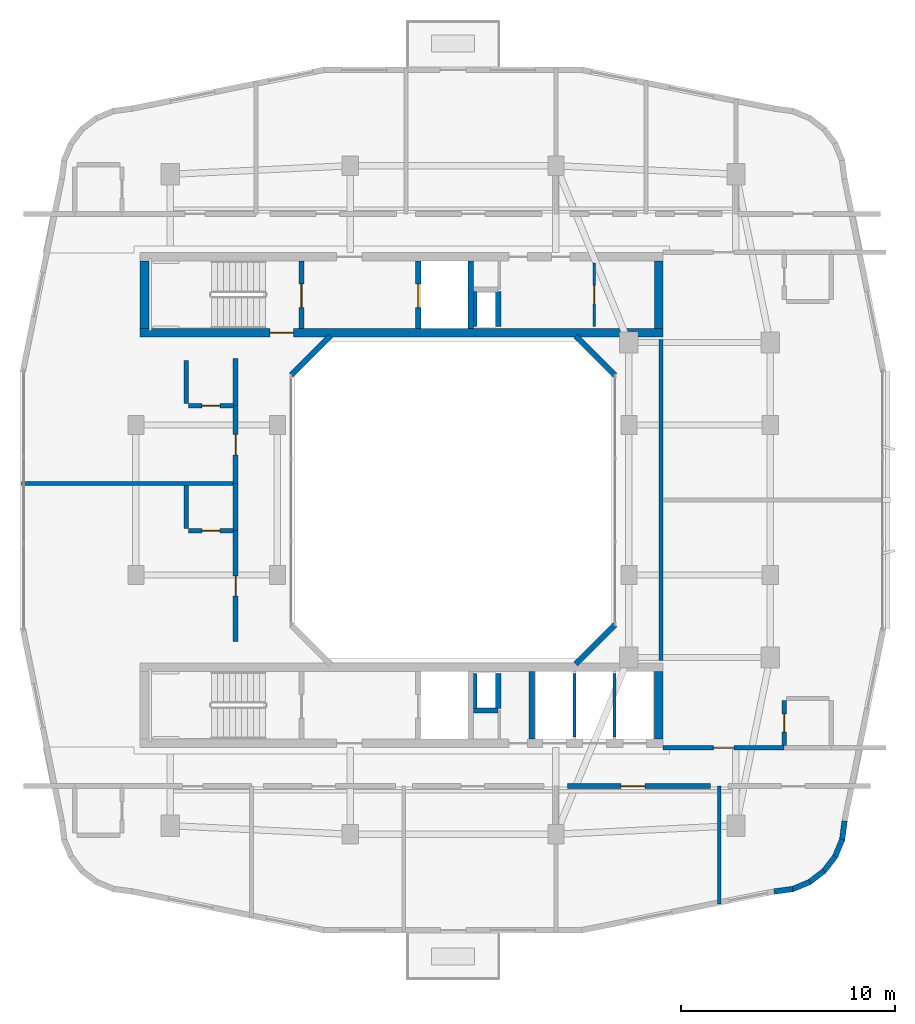
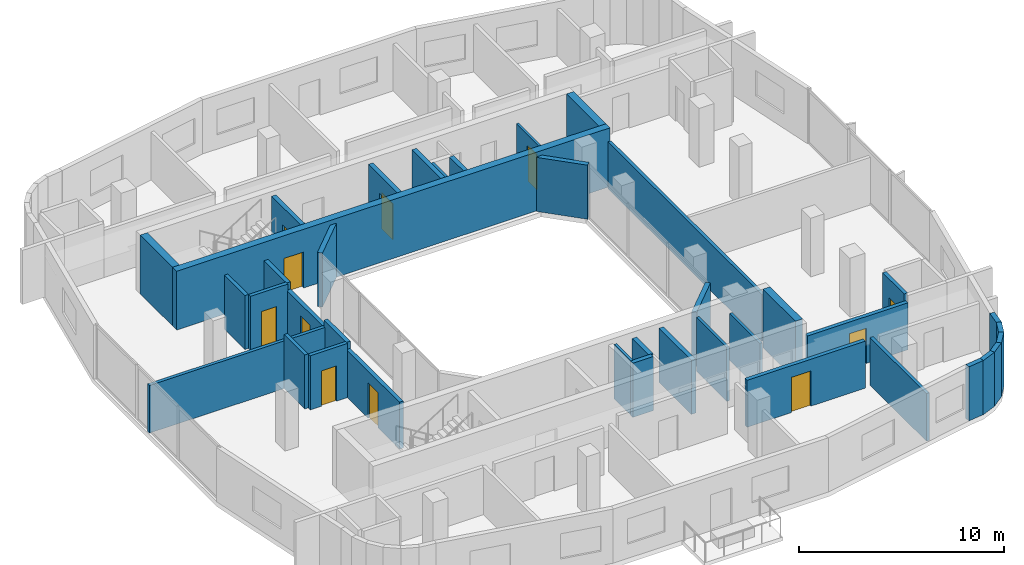
# One storey, part 6 of 12: 39 walls, 11 doors, 11 openings.
"""IFC4 building model written with IfcOpenShell, lengths in metres."""

import ifcopenshell
import ifcopenshell.guid

model = None  # the IFC model being written
_history = None  # IfcOwnerHistory: only IFC2X3 demands one
_inside = {}  # id of a spatial element -> (the spatial element, [elements in it])
_under = {}  # id of a project, library or spatial element -> (it, [spatial elements below it])
_declared = {}  # id of a project -> (the project, [libraries it declares])
_typed = {}  # id of a type object -> (the type object, [elements of that type])
_made_of = {}  # id of a material, layer set ... -> (it, [elements and type objects made of it])


def new_model(schema):
    """Start an empty IFC model of exactly this schema.

    Asked for "IFC4X3", IfcOpenShell would pick the latest addendum, in which some entities
    have other attributes; the version numbers below select the first issue.
    IFC2X3 requires an IfcOwnerHistory on every rooted entity: one is made here for all.
    """
    global model, _history
    if schema == "IFC4X3":
        model = ifcopenshell.file(schema_version=(4, 3, 0, 0))
    else:
        model = ifcopenshell.file(schema=schema)
    _inside.clear()
    _under.clear()
    _declared.clear()
    _typed.clear()
    _made_of.clear()
    _history = None
    if model.schema == "IFC2X3":
        org = make("IfcOrganization", Name="unknown")
        user = make(
            "IfcPersonAndOrganization",
            ThePerson=make("IfcPerson", FamilyName="unknown"),
            TheOrganization=org,
        )
        app = make(
            "IfcApplication",
            ApplicationDeveloper=org,
            Version="unknown",
            ApplicationFullName="unknown",
            ApplicationIdentifier="unknown",
        )
        _history = make(
            "IfcOwnerHistory",
            OwningUser=user,
            OwningApplication=app,
            ChangeAction="ADDED",
            CreationDate=0,
        )
    return model


def make(cls, **values):
    """One entity of the class cls with the attributes given. An attribute that is None is left unset."""
    return model.create_entity(
        cls, **{name: value for name, value in values.items() if value is not None}
    )


def rooted(cls, **values):
    """An entity with a GlobalId (a new one), such as an element, a storey or a relation."""
    return make(cls, GlobalId=ifcopenshell.guid.new(), OwnerHistory=_history, **values)


def si_unit(unit_type, name, prefix=None):
    """IfcSIUnit, for example si_unit("LENGTHUNIT", "METRE", prefix="MILLI")."""
    return make("IfcSIUnit", UnitType=unit_type, Prefix=prefix, Name=name)


def derived_unit(unit_type, elements):
    """IfcDerivedUnit: a product of units, each with its exponent."""
    return make(
        "IfcDerivedUnit",
        Elements=[
            make("IfcDerivedUnitElement", Unit=unit, Exponent=power)
            for unit, power in elements
        ],
        UnitType=unit_type,
    )


def assignment(units):
    """IfcUnitAssignment: the units of a project."""
    return None if units is None else make("IfcUnitAssignment", Units=units)


def point(xyz):
    """IfcCartesianPoint."""
    return None if xyz is None else make("IfcCartesianPoint", Coordinates=xyz)


def direction(xyz):
    """IfcDirection."""
    return None if xyz is None else make("IfcDirection", DirectionRatios=xyz)


def frame(location, z_axis=None, x_axis=None):
    """IfcAxis2Placement3D, a coordinate frame: its origin and axes. An axis left out is left unset."""
    return make(
        "IfcAxis2Placement3D",
        Location=point(location),
        Axis=direction(z_axis),
        RefDirection=direction(x_axis),
    )


def frame_2d(location, x_axis=None):
    """IfcAxis2Placement2D, a coordinate frame in the plane: its origin and x axis."""
    return make(
        "IfcAxis2Placement2D", Location=point(location), RefDirection=direction(x_axis)
    )


def origin():
    """The frame at (0, 0, 0) with its axes left unset."""
    return frame((0.0, 0.0, 0.0))


def place(relative_to, where):
    """IfcLocalPlacement: puts the frame where relative to a parent placement (None: the world)."""
    return make(
        "IfcLocalPlacement", PlacementRelTo=relative_to, RelativePlacement=where
    )


def context(
    kind, dimensions, precision=None, world=None, true_north=None, identifier=None
):
    """IfcGeometricRepresentationContext, for example the 3D "Model" context."""
    return make(
        "IfcGeometricRepresentationContext",
        ContextIdentifier=identifier,
        ContextType=kind,
        CoordinateSpaceDimension=dimensions,
        Precision=precision,
        WorldCoordinateSystem=world,
        TrueNorth=true_north,
    )


def subcontext(parent, identifier, kind, view, scale=None):
    """IfcGeometricRepresentationSubContext, for example "Body" below "Model"."""
    return make(
        "IfcGeometricRepresentationSubContext",
        ContextIdentifier=identifier,
        ContextType=kind,
        ParentContext=parent,
        TargetScale=scale,
        TargetView=view,
    )


def project(units=None, contexts=None):
    """IfcProject with its units and contexts."""
    return rooted(
        "IfcProject",
        Name="project",
        RepresentationContexts=contexts,
        UnitsInContext=assignment(units),
    )


def spatial(cls, under=None, at=None, **own):
    """A site, building, storey or space (cls), placed at a placement, below another one or the project."""
    s = rooted(cls, ObjectPlacement=at, **own)
    if under is not None:
        _under.setdefault(under.id(), (under, []))[1].append(s)
    return s


def profile(cls, at=None, kind="AREA", **sizes):
    """A parametric profile (cls). Its sizes go by their IFC names, for example OverallWidth=200.0."""
    return make(cls, ProfileType=kind, Position=at, **sizes)


def rectangle(**sizes):
    """IfcRectangleProfileDef."""
    return profile("IfcRectangleProfileDef", **sizes)


def extrude(swept, where, along, depth):
    """IfcExtrudedAreaSolid: the profile swept, set in the frame where, extruded along a direction by depth."""
    return make(
        "IfcExtrudedAreaSolid",
        SweptArea=swept,
        Position=where,
        ExtrudedDirection=direction(along),
        Depth=depth,
    )


def shape(context_of_items, identifier, shape_type, items):
    """IfcShapeRepresentation: the items that make up one representation, for example the "Body"."""
    return make(
        "IfcShapeRepresentation",
        ContextOfItems=context_of_items,
        RepresentationIdentifier=identifier,
        RepresentationType=shape_type,
        Items=items,
    )


def material(Name=None, Category=None):
    """IfcMaterial."""
    return make("IfcMaterial", Name=Name, Category=Category)


def layer(
    of_material, thickness, ventilated=None, Name=None, Category=None, Priority=None
):
    """IfcMaterialLayer: one layer of a wall or slab, of a material (None: an air gap)."""
    return make(
        "IfcMaterialLayer",
        Material=of_material,
        LayerThickness=thickness,
        IsVentilated=ventilated,
        Name=Name,
        Category=Category,
        Priority=Priority,
    )


def layer_set(layers, Name=None):
    """IfcMaterialLayerSet."""
    return make("IfcMaterialLayerSet", MaterialLayers=layers, LayerSetName=Name)


def made_of(thing, what):
    """Note that an element or type object is made of a material, layer set ...; save() writes the relation."""
    if what is not None:
        _made_of.setdefault(what.id(), (what, []))[1].append(thing)
    return thing


def type_object(cls, material=None, **own):
    """A type object (cls), such as IfcWallType, which elements share."""
    return made_of(rooted(cls, **own), material)


def element(
    cls,
    number,
    at=None,
    inside=None,
    cuts=None,
    type_object=None,
    material=None,
    context=None,
    identifier="Body",
    shape_type=None,
    held_by="IfcProductDefinitionShape",
    body=None,
    shapes=None,
    **own,
):
    """One element of the class cls, such as IfcWall. Its Tag is "e" and its number.

    at: its placement. inside: the storey or other place that contains it. cuts: it is an
    opening in that element (IfcRelVoidsElement). A single representation is given by context,
    identifier, shape_type and body (its items); several are given by shapes. held_by: the class
    of the entity that holds the representations. save() writes the other relations.
    """
    e = rooted(cls, Tag="e%d" % number, ObjectPlacement=at, **own)
    if body is not None:
        shapes = [shape(context, identifier, shape_type, body)]
    if shapes is not None:
        e.Representation = make(held_by, Representations=shapes)
    if inside is not None:
        _inside.setdefault(inside.id(), (inside, []))[1].append(e)
    if cuts is not None:
        rooted(
            "IfcRelVoidsElement", RelatingBuildingElement=cuts, RelatedOpeningElement=e
        )
    if type_object is not None:
        _typed.setdefault(type_object.id(), (type_object, []))[1].append(e)
    return made_of(e, material)


def fill(opening, filler):
    """IfcRelFillsElement: the door or window that sits in an opening."""
    return rooted(
        "IfcRelFillsElement",
        RelatingOpeningElement=opening,
        RelatedBuildingElement=filler,
    )


def aggregate(whole, parts):
    """IfcRelAggregates: a whole, such as a stair, and the parts it consists of."""
    return rooted("IfcRelAggregates", RelatingObject=whole, RelatedObjects=parts)


def save(model, path):
    """Write the relations noted so far, then the file.

    IfcRelAggregates (storeys below a building ...), IfcRelContainedInSpatialStructure (elements
    in a storey), IfcRelDefinesByType, IfcRelAssociatesMaterial and IfcRelDeclares: one each for
    every whole, place, type object, material and project.
    """
    for whole, parts in _under.values():
        aggregate(whole, parts)
    for where, things in _inside.values():
        rooted(
            "IfcRelContainedInSpatialStructure",
            RelatedElements=things,
            RelatingStructure=where,
        )
    for kind, things in _typed.values():
        rooted("IfcRelDefinesByType", RelatedObjects=things, RelatingType=kind)
    for what, things in _made_of.values():
        rooted("IfcRelAssociatesMaterial", RelatedObjects=things, RelatingMaterial=what)
    for by, libraries in _declared.values():
        rooted("IfcRelDeclares", RelatingContext=by, RelatedDefinitions=libraries)
    model.write(path)


model = new_model("IFC4")

# Units and contexts
model_context = context("Model", 3, precision=1e-05, world=origin(), true_north=direction((0.0, 1.0)))
body_context = subcontext(model_context, "Body", "Model", "MODEL_VIEW")
ifc_project = project(units=[si_unit("LENGTHUNIT", "METRE"), si_unit("AREAUNIT", "SQUARE_METRE"), si_unit("VOLUMEUNIT", "CUBIC_METRE"), si_unit("PLANEANGLEUNIT", "RADIAN"), si_unit("MASSUNIT", "GRAM", prefix="KILO"), derived_unit("THERMALTRANSMITTANCEUNIT", [(si_unit("POWERUNIT", "WATT"), 1), (si_unit("LENGTHUNIT", "METRE"), -2), (si_unit("THERMODYNAMICTEMPERATUREUNIT", "KELVIN"), -1)])], contexts=[model_context])

# Site, building, storey
site_placement = place(None, origin())
site = spatial("IfcSite", under=ifc_project, at=site_placement, CompositionType="ELEMENT")
building_placement = place(site_placement, origin())
building = spatial("IfcBuilding", under=site, at=building_placement, Name="Kivonza Crest Hotel", CompositionType="ELEMENT")
storey_placement = place(building_placement, frame((0.0, 0.0, 166.0)))
storey = spatial("IfcBuildingStorey", under=building, at=storey_placement, Name="L45", CompositionType="ELEMENT", Elevation=166.0)

# Walls
ifc_material_1 = material(Name="High-density acoustic masonry inter-tenancy wall", Category="masonry")
ifc_layer_1 = layer(ifc_material_1, 0.179931640625)
ifc_layer_set_1 = layer_set([ifc_layer_1], Name="High-density acoustic masonry inter-tenancy wall")
wall_type_1 = type_object("IfcWallType", Name="WL-ACOU-180", PredefinedType="SOLIDWALL", material=ifc_layer_set_1)
wall_1_placement = place(storey_placement, frame((33.419921875, 6.14208984375, 0.0), z_axis=(0.0, 0.0, 1.0), x_axis=(0.0, 1.0, 0.0)))
element("IfcWall", 1, at=wall_1_placement, inside=storey, type_object=wall_type_1, Name="L45 interior partition WA-L45-T1S-SPDIV2", PredefinedType="SOLIDWALL", context=body_context, shape_type="SweptSolid", body=[
    extrude(rectangle(XDim=5.5078125, YDim=0.179931640625, at=frame_2d((2.75390625, 0.0))), origin(), (0.0, 0.0, 1.0), 2.8349609375),
])
wall_2_placement = place(storey_placement, frame((0.860107421875, 25.77001953125, 0.0), z_axis=(0.0, 0.0, 1.0), x_axis=(1.0, 0.0, 0.0)))
element("IfcWall", 2, at=wall_2_placement, inside=storey, type_object=wall_type_1, Name="L45 interior partition WA-L45-T1W-DIV1", PredefinedType="SOLIDWALL", context=body_context, shape_type="SweptSolid", body=[
    extrude(rectangle(XDim=9.989990234375, YDim=0.179931640625, at=frame_2d((4.9951171875, 0.0))), origin(), (0.0, 0.0, 1.0), 2.8349609375),
])
wall_3_placement = place(storey_placement, frame((30.7099609375, 17.5, 0.0), z_axis=(0.0, 0.0, 1.0), x_axis=(0.0, 1.0, 0.0)))
element("IfcWall", 3, at=wall_3_placement, inside=storey, type_object=wall_type_1, Name="L45 interior partition WA-L45-T1EC-W", PredefinedType="SOLIDWALL", context=body_context, shape_type="SweptSolid", body=[
    extrude(rectangle(XDim=15.0, YDim=0.179931640625, at=frame_2d((7.5, 0.0))), origin(), (0.0, 0.0, 1.0), 2.794921875),
])

# Wall, opening, door
ifc_material_2 = material(Name="Autoclaved aerated concrete blockwork", Category="masonry")
ifc_layer_2 = layer(ifc_material_2, 0.219970703125)
ifc_layer_set_2 = layer_set([ifc_layer_2], Name="Autoclaved aerated concrete blockwork")
wall_type_2 = type_object("IfcWallType", Name="WL-ACOU-220", PredefinedType="SOLIDWALL", material=ifc_layer_set_2)
wall_4_placement = place(storey_placement, frame((26.35009765625, 11.64990234375, 0.0), z_axis=(0.0, 0.0, 1.0), x_axis=(1.0, 0.0, 0.0)))
wall_4 = element("IfcWall", 4, at=wall_4_placement, inside=storey, type_object=wall_type_2, Name="L45 interior partition WA-L45-Z4-SKIT2A-N", PredefinedType="SOLIDWALL", context=body_context, shape_type="SweptSolid", body=[
    extrude(rectangle(XDim=6.669921875, YDim=0.219970703125, at=frame_2d((3.3349609375, 0.0))), origin(), (0.0, 0.0, 1.0), 2.794921875),
])
opening_1_placement = place(wall_4_placement, frame((2.49609375, 0.0, 0.0)))
opening_1 = element("IfcOpeningElement", 5, at=opening_1_placement, cuts=wall_4, Name="Opening DF-60M", PredefinedType="OPENING", context=body_context, shape_type="SweptSolid", body=[
    extrude(rectangle(XDim=1.10009765625, YDim=2.10009765625, at=frame_2d((0.550048828125, 1.050048828125))), frame((0.0, 0.1201171875, 0.0), z_axis=(0.0, -1.0, 0.0), x_axis=(1.0, 0.0, 0.0)), (0.0, 0.0, 1.0), 0.239990234375),
])
ifc_material_3 = material(Name="Hardwood timber oak", Category="wood")
door_type_1 = type_object("IfcDoorType", Name="DR-FD60-1100", OperationType="NOTDEFINED", PredefinedType="DOOR", material=ifc_material_3)
door_1_placement = place(opening_1_placement, frame((1.10009765625, 0.0, 0.0), z_axis=(0.0, 0.0, 1.0), x_axis=(-1.0, 0.0, 0.0)))
door_1 = element("IfcDoor", 6, at=door_1_placement, inside=storey, type_object=door_type_1, Name="L45 Upper Zone Chef Demonstration Kitchen door", OperationType="SINGLE_SWING_RIGHT", OverallHeight=2.10009765625, OverallWidth=1.10009765625, PredefinedType="DOOR", context=body_context, shape_type="SweptSolid", body=[
    extrude(rectangle(XDim=1.10009765625, YDim=2.10009765625, at=frame_2d((0.550048828125, 1.050048828125))), frame((0.0, 0.02490234375, 0.0), z_axis=(0.0, -1.0, 0.0), x_axis=(1.0, 0.0, 0.0)), (0.0, 0.0, 1.0), 0.050048828125),
])
fill(opening_1, door_1)

# Wall
wall_5_placement = place(storey_placement, frame((10.85009765625, 23.570068359375, 0.0), z_axis=(0.0, 0.0, 1.0), x_axis=(0.0, 1.0, 0.0)))
element("IfcWall", 7, at=wall_5_placement, inside=storey, type_object=wall_type_2, Name="L45 interior partition WA-L45-W03-BCORR", PredefinedType="SOLIDWALL", context=body_context, shape_type="SweptSolid", body=[
    extrude(rectangle(XDim=2.199951171875, YDim=0.219970703125, at=frame_2d((1.10009765625, 0.0))), origin(), (0.0, 0.0, 1.0), 3.219970703125),
])

# Wall, opening, door
wall_6_placement = place(storey_placement, frame((10.85009765625, 18.39990234375, 0.0), z_axis=(0.0, 0.0, 1.0), x_axis=(0.0, 1.0, 0.0)))
wall_6 = element("IfcWall", 8, at=wall_6_placement, inside=storey, type_object=wall_type_2, Name="L45 interior partition WA-L45-W03-MCORR", PredefinedType="SOLIDWALL", context=body_context, shape_type="SweptSolid", body=[
    extrude(rectangle(XDim=5.170166015625, YDim=0.219970703125, at=frame_2d((2.5849609375, 0.0))), origin(), (0.0, 0.0, 1.0), 2.794921875),
])
opening_2_placement = place(wall_6_placement, frame((2.110107421875, 0.0, 0.0)))
opening_2 = element("IfcOpeningElement", 9, at=opening_2_placement, cuts=wall_6, Name="Opening DU-60", PredefinedType="OPENING", context=body_context, shape_type="SweptSolid", body=[
    extrude(rectangle(XDim=0.949951171875, YDim=2.10009765625, at=frame_2d((0.47509765625, 1.050048828125))), frame((0.0, 0.1201171875, 0.0), z_axis=(0.0, -1.0, 0.0), x_axis=(1.0, 0.0, 0.0)), (0.0, 0.0, 1.0), 0.239990234375),
])
door_type_2 = type_object("IfcDoorType", Name="DR-UNIT-950", OperationType="NOTDEFINED", PredefinedType="DOOR", material=ifc_material_3)
door_2_placement = place(opening_2_placement, origin())
door_2 = element("IfcDoor", 10, at=door_2_placement, inside=storey, type_object=door_type_2, Name="L45 W03 guest unit entrance fire door", OperationType="SINGLE_SWING_LEFT", OverallHeight=2.10009765625, OverallWidth=0.949951171875, PredefinedType="DOOR", context=body_context, shape_type="SweptSolid", body=[
    extrude(rectangle(XDim=0.949951171875, YDim=2.10009765625, at=frame_2d((0.47509765625, 1.050048828125))), frame((0.0, 0.02490234375, 0.0), z_axis=(0.0, -1.0, 0.0), x_axis=(1.0, 0.0, 0.0)), (0.0, 0.0, 1.0), 0.050048828125),
])
fill(opening_2, door_2)

# Wall
wall_7_placement = place(storey_placement, frame((10.85009765625, 29.39990234375, 0.0), z_axis=(0.0, 0.0, 1.0), x_axis=(0.0, 1.0, 0.0)))
element("IfcWall", 11, at=wall_7_placement, inside=storey, type_object=wall_type_2, Name="L45 interior partition WA-L45-W04-BCORR", PredefinedType="SOLIDWALL", context=body_context, shape_type="SweptSolid", body=[
    extrude(rectangle(XDim=2.2001953125, YDim=0.219970703125, at=frame_2d((1.10009765625, 0.0))), origin(), (0.0, 0.0, 1.0), 3.219970703125),
])

# Wall, opening, door
wall_8_placement = place(storey_placement, frame((10.85009765625, 25.77001953125, 0.0), z_axis=(0.0, 0.0, 1.0), x_axis=(0.0, 1.0, 0.0)))
wall_8 = element("IfcWall", 12, at=wall_8_placement, inside=storey, type_object=wall_type_2, Name="L45 interior partition WA-L45-W04-MCORR", PredefinedType="SOLIDWALL", context=body_context, shape_type="SweptSolid", body=[
    extrude(rectangle(XDim=3.6298828125, YDim=0.219970703125, at=frame_2d((1.81494140625, 0.0))), origin(), (0.0, 0.0, 1.0), 2.794921875),
])
opening_3_placement = place(wall_8_placement, frame((1.340087890625, 0.0, 0.0)))
opening_3 = element("IfcOpeningElement", 13, at=opening_3_placement, cuts=wall_8, Name="Opening DU-60", PredefinedType="OPENING", context=body_context, shape_type="SweptSolid", body=[
    extrude(rectangle(XDim=0.949951171875, YDim=2.10009765625, at=frame_2d((0.47509765625, 1.050048828125))), frame((0.0, 0.1201171875, 0.0), z_axis=(0.0, -1.0, 0.0), x_axis=(1.0, 0.0, 0.0)), (0.0, 0.0, 1.0), 0.239990234375),
])
door_3_placement = place(opening_3_placement, origin())
door_3 = element("IfcDoor", 14, at=door_3_placement, inside=storey, type_object=door_type_2, Name="L45 W04 guest unit entrance fire door", OperationType="SINGLE_SWING_RIGHT", OverallHeight=2.10009765625, OverallWidth=0.949951171875, PredefinedType="DOOR", context=body_context, shape_type="SweptSolid", body=[
    extrude(rectangle(XDim=0.949951171875, YDim=2.10009765625, at=frame_2d((0.47509765625, 1.050048828125))), frame((0.0, 0.02490234375, 0.0), z_axis=(0.0, -1.0, 0.0), x_axis=(1.0, 0.0, 0.0)), (0.0, 0.0, 1.0), 0.050048828125),
])
fill(opening_3, door_3)

wall_9_placement = place(storey_placement, frame((30.800048828125, 13.43994140625, 0.0), z_axis=(0.0, 0.0, 1.0), x_axis=(1.0, 0.0, 0.0)))
wall_9 = element("IfcWall", 15, at=wall_9_placement, inside=storey, type_object=wall_type_2, Name="L45 interior partition WA-L45-ES05-MCORR", PredefinedType="SOLIDWALL", context=body_context, shape_type="SweptSolid", body=[
    extrude(rectangle(XDim=5.64990234375, YDim=0.219970703125, at=frame_2d((2.824951171875, 0.0))), origin(), (0.0, 0.0, 1.0), 2.794921875),
])
opening_4_placement = place(wall_9_placement, frame((2.35009765625, 0.0, 0.0)))
opening_4 = element("IfcOpeningElement", 16, at=opening_4_placement, cuts=wall_9, Name="Opening DU-60", PredefinedType="OPENING", context=body_context, shape_type="SweptSolid", body=[
    extrude(rectangle(XDim=0.949951171875, YDim=2.10009765625, at=frame_2d((0.47509765625, 1.050048828125))), frame((0.0, 0.1201171875, 0.0), z_axis=(0.0, -1.0, 0.0), x_axis=(1.0, 0.0, 0.0)), (0.0, 0.0, 1.0), 0.239990234375),
])
door_4_placement = place(opening_4_placement, origin())
door_4 = element("IfcDoor", 17, at=door_4_placement, inside=storey, type_object=door_type_2, Name="L45 ES05 guest unit entrance fire door", OperationType="SINGLE_SWING_RIGHT", OverallHeight=2.10009765625, OverallWidth=0.949951171875, PredefinedType="DOOR", context=body_context, shape_type="SweptSolid", body=[
    extrude(rectangle(XDim=0.949951171875, YDim=2.10009765625, at=frame_2d((0.47509765625, 1.050048828125))), frame((0.0, 0.02490234375, 0.0), z_axis=(0.0, -1.0, 0.0), x_axis=(1.0, 0.0, 0.0)), (0.0, 0.0, 1.0), 0.050048828125),
])
fill(opening_4, door_4)

ifc_material_4 = material(Name="Concrete C50/60", Category="concrete")
ifc_layer_3 = layer(ifc_material_4, 0.39990234375)
ifc_layer_set_3 = layer_set([ifc_layer_3], Name="Concrete C50/60")
wall_type_3 = type_object("IfcWallType", Name="WL-CORE-400", PredefinedType="SHEAR", material=ifc_layer_set_3)
wall_10_placement = place(storey_placement, frame((6.39990234375, 32.800048828125, 0.0), z_axis=(0.0, 0.0, 1.0), x_axis=(1.0, 0.0, 0.0)))
wall_10 = element("IfcWall", 18, at=wall_10_placement, inside=storey, type_object=wall_type_3, Name="Core wall T1-N South L45", PredefinedType="SHEAR", context=body_context, shape_type="SweptSolid", body=[
    extrude(rectangle(XDim=24.400146484375, YDim=0.39990234375, at=frame_2d((12.2001953125, 0.0))), origin(), (0.0, 0.0, 1.0), 3.5),
])
opening_5_placement = place(wall_10_placement, frame((6.050048828125, 0.0, 0.0)))
opening_5 = element("IfcOpeningElement", 19, at=opening_5_placement, cuts=wall_10, Name="Opening DF-120", PredefinedType="OPENING", context=body_context, shape_type="SweptSolid", body=[
    extrude(rectangle(XDim=1.10009765625, YDim=2.14990234375, at=frame_2d((0.550048828125, 1.074951171875))), frame((0.0, 0.2099609375, 0.0), z_axis=(0.0, -1.0, 0.0), x_axis=(1.0, 0.0, 0.0)), (0.0, 0.0, 1.0), 0.419921875),
])
ifc_material_5 = material(Name="Galvanised steel", Category="steel")
door_type_3 = type_object("IfcDoorType", Name="DR-FD120-1100", OperationType="NOTDEFINED", PredefinedType="DOOR", material=ifc_material_5)
door_5_placement = place(opening_5_placement, origin())
door_5 = element("IfcDoor", 20, at=door_5_placement, inside=storey, type_object=door_type_3, Name="L45 West corridor stair access fire door", OperationType="SINGLE_SWING_LEFT", OverallHeight=2.14990234375, OverallWidth=1.10009765625, PredefinedType="DOOR", context=body_context, shape_type="SweptSolid", body=[
    extrude(rectangle(XDim=1.10009765625, YDim=2.14990234375, at=frame_2d((0.550048828125, 1.074951171875))), frame((0.0, 0.02490234375, 0.0), z_axis=(0.0, -1.0, 0.0), x_axis=(1.0, 0.0, 0.0)), (0.0, 0.0, 1.0), 0.050048828125),
])
fill(opening_5, door_5)

# Walls
for number, where, z_axis, x_axis, name in (
    (21, (6.60009765625, 33.0, 0.0), (0.0, 0.0, 1.0), (0.0, 1.0, 0.0), "Core wall T1-N West L45"),
    (22, (30.60009765625, 33.0, 0.0), (0.0, 0.0, 1.0), (0.0, 1.0, 0.0), "Core wall T1-N East L45"),
    (23, (30.60009765625, 13.840087890625, 0.0), (0.0, 0.0, 1.0), (0.0, 1.0, 0.0), "Core wall T1-S East L45"),
):
    element("IfcWall", number, at=place(storey_placement, frame(where, z_axis=z_axis, x_axis=x_axis)), inside=storey, type_object=wall_type_3, Name=name, PredefinedType="SHEAR", context=body_context, shape_type="SweptSolid", body=[
        extrude(rectangle(XDim=3.159912109375, YDim=0.39990234375, at=frame_2d((1.580078125, 0.0))), origin(), (0.0, 0.0, 1.0), 3.5),
    ])
ifc_material_6 = material(Name="Precast concrete C40/50", Category="concrete")
ifc_layer_4 = layer(ifc_material_6, 0.260009765625)
ifc_layer_set_4 = layer_set([ifc_layer_4], Name="Precast concrete C40/50")
wall_type_4 = type_object("IfcWallType", Name="WL-EXT-260", PredefinedType="STANDARD", material=ifc_layer_set_4)
wall_11_placement = place(storey_placement, frame((35.97509765625, 6.72802734375, 0.0), z_axis=(0.0, 0.0, 1.0), x_axis=(0.991388484223, 0.130953706898, 0.0)))
element("IfcWall", 24, at=wall_11_placement, inside=storey, type_object=wall_type_4, Name="L45 T1 exterior insulated wall 10", PredefinedType="STANDARD", context=body_context, shape_type="SweptSolid", body=[
    extrude(rectangle(XDim=0.885498046875, YDim=0.260009765625, at=frame_2d((0.44287109375, 0.0))), origin(), (0.0, 0.0, 1.0), 3.219970703125),
])
wall_12_placement = place(storey_placement, frame((36.806884765625, 6.825927734375, 0.0), z_axis=(0.0, 0.0, 1.0), x_axis=(0.923627776508, 0.383290660547, 0.0)))
element("IfcWall", 25, at=wall_12_placement, inside=storey, type_object=wall_type_4, Name="L45 T1 exterior insulated wall 11", PredefinedType="STANDARD", context=body_context, shape_type="SweptSolid", body=[
    extrude(rectangle(XDim=0.9033203125, YDim=0.260009765625, at=frame_2d((0.45166015625, 0.0))), origin(), (0.0, 0.0, 1.0), 3.219970703125),
])
wall_13_placement = place(storey_placement, frame((37.60107421875, 7.14404296875, 0.0), z_axis=(0.0, 0.0, 1.0), x_axis=(0.793458244748, 0.608624690463, 0.0)))
element("IfcWall", 26, at=wall_13_placement, inside=storey, type_object=wall_type_4, Name="L45 T1 exterior insulated wall 12", PredefinedType="STANDARD", context=body_context, shape_type="SweptSolid", body=[
    extrude(rectangle(XDim=0.902099609375, YDim=0.260009765625, at=frame_2d((0.451171875, 0.0))), origin(), (0.0, 0.0, 1.0), 3.219970703125),
])
wall_14_placement = place(storey_placement, frame((38.285888671875, 7.655029296875, 0.0), z_axis=(0.0, 0.0, 1.0), x_axis=(0.608494022858, 0.793558456666, 0.0)))
element("IfcWall", 27, at=wall_14_placement, inside=storey, type_object=wall_type_4, Name="L45 T1 exterior insulated wall 13", PredefinedType="STANDARD", context=body_context, shape_type="SweptSolid", body=[
    extrude(rectangle(XDim=0.90234375, YDim=0.260009765625, at=frame_2d((0.451171875, 0.0))), origin(), (0.0, 0.0, 1.0), 3.219970703125),
])
wall_15_placement = place(storey_placement, frame((38.81396484375, 8.326904296875, 0.0), z_axis=(0.0, 0.0, 1.0), x_axis=(0.383155708213, 0.923683767999, 0.0)))
element("IfcWall", 28, at=wall_15_placement, inside=storey, type_object=wall_type_4, Name="L45 T1 exterior insulated wall 14", PredefinedType="STANDARD", context=body_context, shape_type="SweptSolid", body=[
    extrude(rectangle(XDim=0.90283203125, YDim=0.260009765625, at=frame_2d((0.451416015625, 0.0))), origin(), (0.0, 0.0, 1.0), 3.219970703125),
])
wall_16_placement = place(storey_placement, frame((39.152099609375, 9.112060546875, 0.0), z_axis=(0.0, 0.0, 1.0), x_axis=(0.130200706103, 0.991487658083, 0.0)))
element("IfcWall", 29, at=wall_16_placement, inside=storey, type_object=wall_type_4, Name="L45 T1 exterior insulated wall 15", PredefinedType="STANDARD", context=body_context, shape_type="SweptSolid", body=[
    extrude(rectangle(XDim=0.920654296875, YDim=0.260009765625, at=frame_2d((0.46044921875, 0.0))), origin(), (0.0, 0.0, 1.0), 3.219970703125),
])
for number, where, z_axis, x_axis, name in (
    (30, (26.721923828125, 17.337890625, 0.0), (0.0, 0.0, 1.0), (0.707059717605, 0.707153841636, 0.0), "L45 T1 light-well exterior wall 2"),
    (31, (28.555908203125, 30.827880859375, 0.0), (0.0, 0.0, 1.0), (-0.707059717605, 0.707153841636, 0.0), "L45 T1 light-well exterior wall 4"),
    (32, (15.278076171875, 32.662109375, 0.0), (0.0, 0.0, 1.0), (-0.707059717605, -0.707153841636, 0.0), "L45 T1 light-well exterior wall 6"),
):
    element("IfcWall", number, at=place(storey_placement, frame(where, z_axis=z_axis, x_axis=x_axis)), inside=storey, type_object=wall_type_4, Name=name, PredefinedType="STANDARD", context=body_context, shape_type="SweptSolid", body=[
        extrude(rectangle(XDim=2.59375, YDim=0.260009765625, at=frame_2d((1.296875, 0.0))), origin(), (0.0, 0.0, 1.0), 3.219970703125),
    ])
ifc_material_7 = material(Name="Concrete blockwork fire-compartment wall", Category="masonry")
ifc_layer_5 = layer(ifc_material_7, 0.25)
ifc_layer_set_5 = layer_set([ifc_layer_5], Name="Concrete blockwork fire-compartment wall")
wall_type_5 = type_object("IfcWallType", Name="WL-FIRE-250", PredefinedType="SOLIDWALL", material=ifc_layer_set_5)
for number, where, z_axis, x_axis, name in (
    (33, (23.10009765625, 33.10009765625, 0.0), (0.0, 0.0, 1.0), (0.0, 1.0, 0.0), "L45 interior partition WA-L45-T1-N-MEPR-E"),
    (34, (23.10009765625, 15.280029296875, 0.0), (0.0, 0.0, 1.0), (0.0, 1.0, 0.0), "L45 interior partition WA-L45-T1-S-MEPR-E"),
):
    element("IfcWall", number, at=place(storey_placement, frame(where, z_axis=z_axis, x_axis=x_axis)), inside=storey, type_object=wall_type_5, Name=name, PredefinedType="SOLIDWALL", context=body_context, shape_type="SweptSolid", body=[
        extrude(rectangle(XDim=1.619873046875, YDim=0.25, at=frame_2d((0.81005859375, 0.0))), origin(), (0.0, 0.0, 1.0), 3.219970703125),
    ])
wall_17_placement = place(storey_placement, frame((21.949951171875, 15.179931640625, 0.0), z_axis=(0.0, 0.0, 1.0), x_axis=(1.0, 0.0, 0.0)))
element("IfcWall", 35, at=wall_17_placement, inside=storey, type_object=wall_type_5, Name="L45 interior partition WA-L45-T1-S-MEPR-H", PredefinedType="SOLIDWALL", context=body_context, shape_type="SweptSolid", body=[
    extrude(rectangle(XDim=1.150146484375, YDim=0.25, at=frame_2d((0.5751953125, 0.0))), origin(), (0.0, 0.0, 1.0), 3.219970703125),
])

# Wall, opening, door
ifc_material_8 = material(Name="Metal-stud gypsum board partition", Category="gypsum")
ifc_layer_6 = layer(ifc_material_8, 0.125)
ifc_layer_set_6 = layer_set([ifc_layer_6], Name="Metal-stud gypsum board partition")
wall_type_6 = type_object("IfcWallType", Name="WL-PART-125", PredefinedType="PARTITIONING", material=ifc_layer_set_6)
wall_18_placement = place(storey_placement, frame((27.580078125, 33.10009765625, 0.0), z_axis=(0.0, 0.0, 1.0), x_axis=(0.0, 1.0, 0.0)))
wall_18 = element("IfcWall", 36, at=wall_18_placement, inside=storey, type_object=wall_type_6, Name="L45 interior partition WP-L45-T1-N-RECL", PredefinedType="PARTITIONING", context=body_context, shape_type="SweptSolid", body=[
    extrude(rectangle(XDim=2.9599609375, YDim=0.125, at=frame_2d((1.47998046875, 0.0))), origin(), (0.0, 0.0, 1.0), 2.794921875),
])
opening_6_placement = place(wall_18_placement, frame((1.054931640625, 0.0, 0.0)))
opening_6 = element("IfcOpeningElement", 37, at=opening_6_placement, cuts=wall_18, Name="Opening DI-85", PredefinedType="OPENING", context=body_context, shape_type="SweptSolid", body=[
    extrude(rectangle(XDim=0.85009765625, YDim=2.10009765625, at=frame_2d((0.425048828125, 1.050048828125))), frame((0.0, 0.072509765625, 0.0), z_axis=(0.0, -1.0, 0.0), x_axis=(1.0, 0.0, 0.0)), (0.0, 0.0, 1.0), 0.14501953125),
])
door_type_4 = type_object("IfcDoorType", Name="DR-INT-850", OperationType="NOTDEFINED", PredefinedType="DOOR", material=ifc_material_3)
door_6_placement = place(opening_6_placement, origin())
door_6 = element("IfcDoor", 38, at=door_6_placement, inside=storey, type_object=door_type_4, Name="L45 T1-N reclaimed inner pantry door", OperationType="SINGLE_SWING_LEFT", OverallHeight=2.10009765625, OverallWidth=0.85009765625, PredefinedType="DOOR", context=body_context, shape_type="SweptSolid", body=[
    extrude(rectangle(XDim=0.85009765625, YDim=2.10009765625, at=frame_2d((0.425048828125, 1.050048828125))), frame((0.0, 0.02490234375, 0.0), z_axis=(0.0, -1.0, 0.0), x_axis=(1.0, 0.0, 0.0)), (0.0, 0.0, 1.0), 0.050048828125),
])
fill(opening_6, door_6)

# Walls
ifc_material_9 = material(Name="Twin-stud acoustic gypsum board partition", Category="gypsum")
ifc_layer_7 = layer(ifc_material_9, 0.14990234375)
ifc_layer_set_7 = layer_set([ifc_layer_7], Name="Twin-stud acoustic gypsum board partition")
wall_type_7 = type_object("IfcWallType", Name="WL-PART-150", PredefinedType="PARTITIONING", material=ifc_layer_set_7)
for number, where, z_axis, x_axis, name in (
    (39, (22.030029296875, 33.10009765625, 0.0), (0.0, 0.0, 1.0), (0.0, 1.0, 0.0), "L45 interior partition WA-L45-T1-N-MEPR-W"),
    (40, (22.030029296875, 15.280029296875, 0.0), (0.0, 0.0, 1.0), (0.0, 1.0, 0.0), "L45 interior partition WA-L45-T1-S-MEPR-W"),
):
    element("IfcWall", number, at=place(storey_placement, frame(where, z_axis=z_axis, x_axis=x_axis)), inside=storey, type_object=wall_type_7, Name=name, PredefinedType="PARTITIONING", context=body_context, shape_type="SweptSolid", body=[
        extrude(rectangle(XDim=1.619873046875, YDim=0.14990234375, at=frame_2d((0.81005859375, 0.0))), origin(), (0.0, 0.0, 1.0), 3.219970703125),
    ])
wall_19_placement = place(storey_placement, frame((26.6669921875, 13.93994140625, 0.0), z_axis=(0.0, 0.0, 1.0), x_axis=(0.0, 1.0, 0.0)))
element("IfcWall", 41, at=wall_19_placement, inside=storey, type_object=wall_type_7, Name="L45 interior partition WP-L45-T1-S-BSH-1", PredefinedType="PARTITIONING", context=body_context, shape_type="SweptSolid", body=[
    extrude(rectangle(XDim=2.9599609375, YDim=0.14990234375, at=frame_2d((1.47998046875, 0.0))), origin(), (0.0, 0.0, 1.0), 3.219970703125),
])
wall_20_placement = place(storey_placement, frame((28.532958984375, 13.93994140625, 0.0), z_axis=(0.0, 0.0, 1.0), x_axis=(0.0, 1.0, 0.0)))
element("IfcWall", 42, at=wall_20_placement, inside=storey, type_object=wall_type_7, Name="L45 interior partition WP-L45-T1-S-BSH-2", PredefinedType="PARTITIONING", context=body_context, shape_type="SweptSolid", body=[
    extrude(rectangle(XDim=2.9599609375, YDim=0.14990234375, at=frame_2d((1.47998046875, 0.0))), origin(), (0.0, 0.0, 1.0), 2.794921875),
])

# Wall, opening, door
ifc_material_10 = material(Name="Moisture-resistant plumbing chase partition wall", Category="gypsum")
ifc_layer_8 = layer(ifc_material_10, 0.199951171875)
ifc_layer_set_8 = layer_set([ifc_layer_8], Name="Moisture-resistant plumbing chase partition wall")
wall_type_8 = type_object("IfcWallType", Name="WL-PLUMB-200", PredefinedType="PLUMBINGWALL", material=ifc_layer_set_8)
wall_21_placement = place(storey_placement, frame((8.64990234375, 23.570068359375, 0.0), z_axis=(0.0, 0.0, 1.0), x_axis=(1.0, 0.0, 0.0)))
wall_21 = element("IfcWall", 43, at=wall_21_placement, inside=storey, type_object=wall_type_8, Name="L45 interior partition WW-L45-W03-BH", PredefinedType="PLUMBINGWALL", context=body_context, shape_type="SweptSolid", body=[
    extrude(rectangle(XDim=2.10009765625, YDim=0.199951171875, at=frame_2d((1.050048828125, 0.0))), origin(), (0.0, 0.0, 1.0), 3.219970703125),
])
opening_7_placement = place(wall_21_placement, frame((0.625, 0.0, 0.0)))
opening_7 = element("IfcOpeningElement", 44, at=opening_7_placement, cuts=wall_21, Name="Opening DI-85", PredefinedType="OPENING", context=body_context, shape_type="SweptSolid", body=[
    extrude(rectangle(XDim=0.85009765625, YDim=2.10009765625, at=frame_2d((0.425048828125, 1.050048828125))), frame((0.0, 0.10986328125, 0.0), z_axis=(0.0, -1.0, 0.0), x_axis=(1.0, 0.0, 0.0)), (0.0, 0.0, 1.0), 0.219970703125),
])
door_7_placement = place(opening_7_placement, frame((0.85009765625, 0.0, 0.0), z_axis=(0.0, 0.0, 1.0), x_axis=(-1.0, 0.0, 0.0)))
door_7 = element("IfcDoor", 45, at=door_7_placement, inside=storey, type_object=door_type_4, Name="L45 W03 en-suite bathroom door", OperationType="SINGLE_SWING_RIGHT", OverallHeight=2.10009765625, OverallWidth=0.85009765625, PredefinedType="DOOR", context=body_context, shape_type="SweptSolid", body=[
    extrude(rectangle(XDim=0.85009765625, YDim=2.10009765625, at=frame_2d((0.425048828125, 1.050048828125))), frame((0.0, 0.02490234375, 0.0), z_axis=(0.0, -1.0, 0.0), x_axis=(1.0, 0.0, 0.0)), (0.0, 0.0, 1.0), 0.050048828125),
])
fill(opening_7, door_7)

# Wall
wall_22_placement = place(storey_placement, frame((8.550048828125, 23.669921875, 0.0), z_axis=(0.0, 0.0, 1.0), x_axis=(0.0, 1.0, 0.0)))
element("IfcWall", 46, at=wall_22_placement, inside=storey, type_object=wall_type_8, Name="L45 interior partition WW-L45-W03-BV", PredefinedType="PLUMBINGWALL", context=body_context, shape_type="SweptSolid", body=[
    extrude(rectangle(XDim=2.0, YDim=0.199951171875, at=frame_2d((1.0, 0.0))), origin(), (0.0, 0.0, 1.0), 3.219970703125),
])

# Wall, opening, door
wall_23_placement = place(storey_placement, frame((8.64990234375, 29.39990234375, 0.0), z_axis=(0.0, 0.0, 1.0), x_axis=(1.0, 0.0, 0.0)))
wall_23 = element("IfcWall", 47, at=wall_23_placement, inside=storey, type_object=wall_type_8, Name="L45 interior partition WW-L45-W04-BH", PredefinedType="PLUMBINGWALL", context=body_context, shape_type="SweptSolid", body=[
    extrude(rectangle(XDim=2.10009765625, YDim=0.199951171875, at=frame_2d((1.050048828125, 0.0))), origin(), (0.0, 0.0, 1.0), 3.219970703125),
])
opening_8_placement = place(wall_23_placement, frame((0.625, 0.0, 0.0)))
opening_8 = element("IfcOpeningElement", 48, at=opening_8_placement, cuts=wall_23, Name="Opening DI-85", PredefinedType="OPENING", context=body_context, shape_type="SweptSolid", body=[
    extrude(rectangle(XDim=0.85009765625, YDim=2.10009765625, at=frame_2d((0.425048828125, 1.050048828125))), frame((0.0, 0.10986328125, 0.0), z_axis=(0.0, -1.0, 0.0), x_axis=(1.0, 0.0, 0.0)), (0.0, 0.0, 1.0), 0.219970703125),
])
door_8_placement = place(opening_8_placement, frame((0.85009765625, 0.0, 0.0), z_axis=(0.0, 0.0, 1.0), x_axis=(-1.0, 0.0, 0.0)))
door_8 = element("IfcDoor", 49, at=door_8_placement, inside=storey, type_object=door_type_4, Name="L45 W04 en-suite bathroom door", OperationType="SINGLE_SWING_LEFT", OverallHeight=2.10009765625, OverallWidth=0.85009765625, PredefinedType="DOOR", context=body_context, shape_type="SweptSolid", body=[
    extrude(rectangle(XDim=0.85009765625, YDim=2.10009765625, at=frame_2d((0.425048828125, 1.050048828125))), frame((0.0, 0.02490234375, 0.0), z_axis=(0.0, -1.0, 0.0), x_axis=(1.0, 0.0, 0.0)), (0.0, 0.0, 1.0), 0.050048828125),
])
fill(opening_8, door_8)

# Wall
wall_24_placement = place(storey_placement, frame((8.550048828125, 29.5, 0.0), z_axis=(0.0, 0.0, 1.0), x_axis=(0.0, 1.0, 0.0)))
element("IfcWall", 50, at=wall_24_placement, inside=storey, type_object=wall_type_8, Name="L45 interior partition WW-L45-W04-BV", PredefinedType="PLUMBINGWALL", context=body_context, shape_type="SweptSolid", body=[
    extrude(rectangle(XDim=2.0, YDim=0.199951171875, at=frame_2d((1.0, 0.0))), origin(), (0.0, 0.0, 1.0), 3.219970703125),
])

# Wall, opening, door
wall_25_placement = place(storey_placement, frame((36.449951171875, 13.5400390625, 0.0), z_axis=(0.0, 0.0, 1.0), x_axis=(0.0, 1.0, 0.0)))
wall_25 = element("IfcWall", 51, at=wall_25_placement, inside=storey, type_object=wall_type_8, Name="L45 interior partition WW-L45-ES05-BV", PredefinedType="PLUMBINGWALL", context=body_context, shape_type="SweptSolid", body=[
    extrude(rectangle(XDim=2.099853515625, YDim=0.199951171875, at=frame_2d((1.0498046875, 0.0))), origin(), (0.0, 0.0, 1.0), 3.219970703125),
])
opening_9_placement = place(wall_25_placement, frame((0.625, 0.0, 0.0)))
opening_9 = element("IfcOpeningElement", 52, at=opening_9_placement, cuts=wall_25, Name="Opening DI-85", PredefinedType="OPENING", context=body_context, shape_type="SweptSolid", body=[
    extrude(rectangle(XDim=0.85009765625, YDim=2.10009765625, at=frame_2d((0.425048828125, 1.050048828125))), frame((0.0, 0.10986328125, 0.0), z_axis=(0.0, -1.0, 0.0), x_axis=(1.0, 0.0, 0.0)), (0.0, 0.0, 1.0), 0.219970703125),
])
door_9_placement = place(opening_9_placement, origin())
door_9 = element("IfcDoor", 53, at=door_9_placement, inside=storey, type_object=door_type_4, Name="L45 ES05 en-suite bathroom door", OperationType="SINGLE_SWING_LEFT", OverallHeight=2.10009765625, OverallWidth=0.85009765625, PredefinedType="DOOR", context=body_context, shape_type="SweptSolid", body=[
    extrude(rectangle(XDim=0.85009765625, YDim=2.10009765625, at=frame_2d((0.425048828125, 1.050048828125))), frame((0.0, 0.02490234375, 0.0), z_axis=(0.0, -1.0, 0.0), x_axis=(1.0, 0.0, 0.0)), (0.0, 0.0, 1.0), 0.050048828125),
])
fill(opening_9, door_9)

ifc_layer_9 = layer(ifc_material_4, 0.25)
ifc_layer_set_9 = layer_set([ifc_layer_9], Name="Concrete C50/60")
wall_type_9 = type_object("IfcWallType", Name="WL-SHAFT-250", PredefinedType="STANDARD", material=ifc_layer_set_9)
wall_26_placement = place(storey_placement, frame((13.925048828125, 33.0, 0.0), z_axis=(0.0, 0.0, 1.0), x_axis=(0.0, 1.0, 0.0)))
wall_26 = element("IfcWall", 54, at=wall_26_placement, inside=storey, type_object=wall_type_9, Name="Core shaft wall T1-N STAIR L45", PredefinedType="STANDARD", context=body_context, shape_type="SweptSolid", body=[
    extrude(rectangle(XDim=3.159912109375, YDim=0.25, at=frame_2d((1.580078125, 0.0))), origin(), (0.0, 0.0, 1.0), 3.219970703125),
])
opening_10_placement = place(wall_26_placement, frame((0.97998046875, 0.0, 0.0)))
opening_10 = element("IfcOpeningElement", 55, at=opening_10_placement, cuts=wall_26, Name="Opening DF-120", PredefinedType="OPENING", context=body_context, shape_type="SweptSolid", body=[
    extrude(rectangle(XDim=1.10009765625, YDim=2.14990234375, at=frame_2d((0.550048828125, 1.074951171875))), frame((0.0, 0.135009765625, 0.0), z_axis=(0.0, -1.0, 0.0), x_axis=(1.0, 0.0, 0.0)), (0.0, 0.0, 1.0), 0.27001953125),
])
door_10_placement = place(opening_10_placement, frame((1.10009765625, 0.0, 0.0), z_axis=(0.0, 0.0, 1.0), x_axis=(-1.0, 0.0, 0.0)))
door_10 = element("IfcDoor", 56, at=door_10_placement, inside=storey, type_object=door_type_3, Name="L45 T1-N stair fire door", OperationType="SINGLE_SWING_LEFT", OverallHeight=2.14990234375, OverallWidth=1.10009765625, PredefinedType="DOOR", context=body_context, shape_type="SweptSolid", body=[
    extrude(rectangle(XDim=1.10009765625, YDim=2.14990234375, at=frame_2d((0.550048828125, 1.074951171875))), frame((0.0, 0.02490234375, 0.0), z_axis=(0.0, -1.0, 0.0), x_axis=(1.0, 0.0, 0.0)), (0.0, 0.0, 1.0), 0.050048828125),
])
fill(opening_10, door_10)

wall_27_placement = place(storey_placement, frame((19.375, 33.0, 0.0), z_axis=(0.0, 0.0, 1.0), x_axis=(0.0, 1.0, 0.0)))
wall_27 = element("IfcWall", 57, at=wall_27_placement, inside=storey, type_object=wall_type_9, Name="Core shaft wall T1-N FFL-W L45", PredefinedType="STANDARD", context=body_context, shape_type="SweptSolid", body=[
    extrude(rectangle(XDim=3.159912109375, YDim=0.25, at=frame_2d((1.580078125, 0.0))), origin(), (0.0, 0.0, 1.0), 3.219970703125),
])
opening_11_placement = place(wall_27_placement, frame((0.97998046875, 0.0, 0.0)))
opening_11 = element("IfcOpeningElement", 58, at=opening_11_placement, cuts=wall_27, Name="Opening LD-120", PredefinedType="OPENING", context=body_context, shape_type="SweptSolid", body=[
    extrude(rectangle(XDim=1.10009765625, YDim=2.14990234375, at=frame_2d((0.550048828125, 1.074951171875))), frame((0.0, 0.135009765625, 0.0), z_axis=(0.0, -1.0, 0.0), x_axis=(1.0, 0.0, 0.0)), (0.0, 0.0, 1.0), 0.27001953125),
])
ifc_material_11 = material(Name="Stainless steel", Category="steel")
door_type_5 = type_object("IfcDoorType", Name="DR-LD120-1100", OperationType="NOTDEFINED", PredefinedType="DOOR", material=ifc_material_11)
door_11_placement = place(opening_11_placement, origin())
door_11 = element("IfcDoor", 59, at=door_11_placement, inside=storey, type_object=door_type_5, Name="L45 FFL-T1-N firefighting lift sliding landing door", OperationType="DOUBLE_DOOR_SLIDING", OverallHeight=2.14990234375, OverallWidth=1.10009765625, PredefinedType="DOOR", context=body_context, shape_type="SweptSolid", body=[
    extrude(rectangle(XDim=1.10009765625, YDim=2.14990234375, at=frame_2d((0.550048828125, 1.074951171875))), frame((0.0, 0.02490234375, 0.0), z_axis=(0.0, -1.0, 0.0), x_axis=(1.0, 0.0, 0.0)), (0.0, 0.0, 1.0), 0.050048828125),
])
fill(opening_11, door_11)

# Walls
for number, where, z_axis, x_axis, name in (
    (60, (21.824951171875, 33.0, 0.0), (0.0, 0.0, 1.0), (0.0, 1.0, 0.0), "Core shaft wall T1-N FFL-E L45"),
    (61, (24.675048828125, 13.840087890625, 0.0), (0.0, 0.0, 1.0), (0.0, 1.0, 0.0), "Core shaft wall T1-S BANK-W L45"),
):
    element("IfcWall", number, at=place(storey_placement, frame(where, z_axis=z_axis, x_axis=x_axis)), inside=storey, type_object=wall_type_9, Name=name, PredefinedType="STANDARD", context=body_context, shape_type="SweptSolid", body=[
        extrude(rectangle(XDim=3.159912109375, YDim=0.25, at=frame_2d((1.580078125, 0.0))), origin(), (0.0, 0.0, 1.0), 3.219970703125),
    ])

save(model, "model.ifc")
